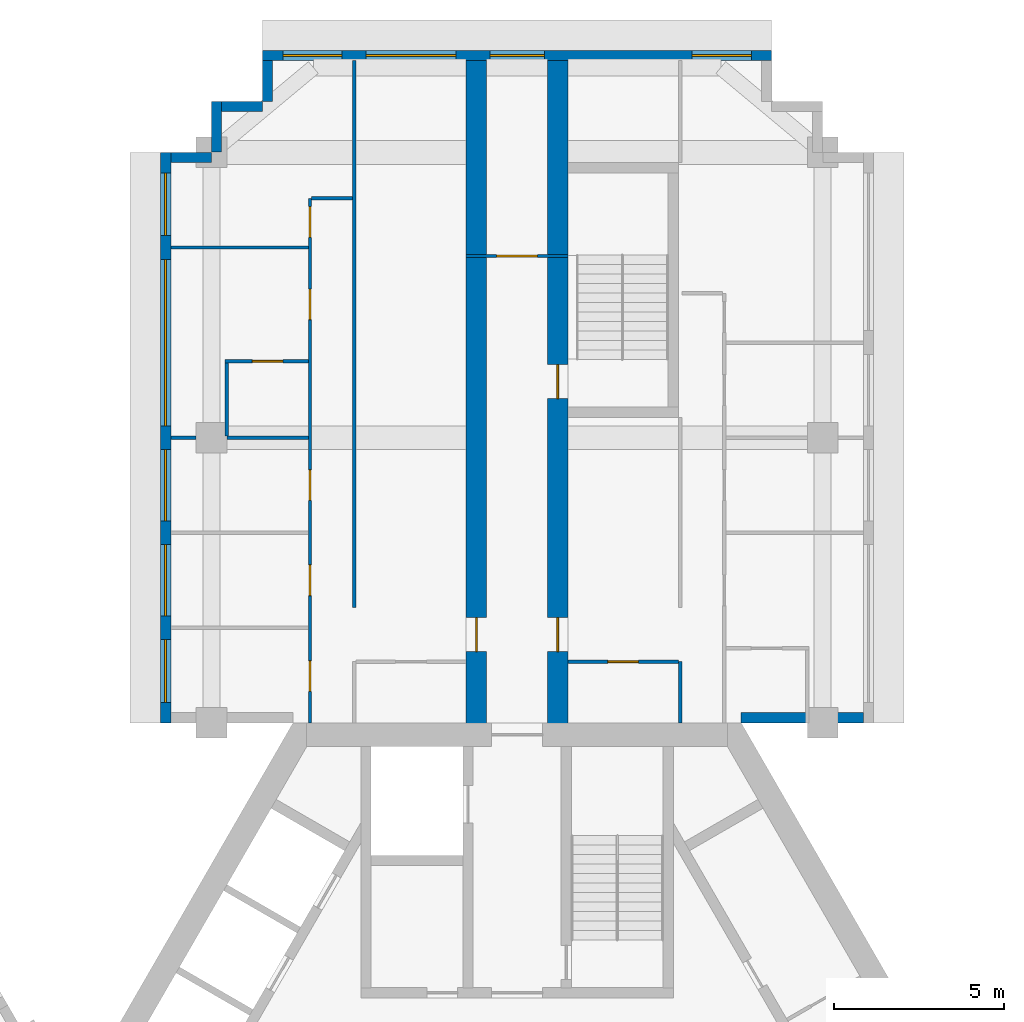
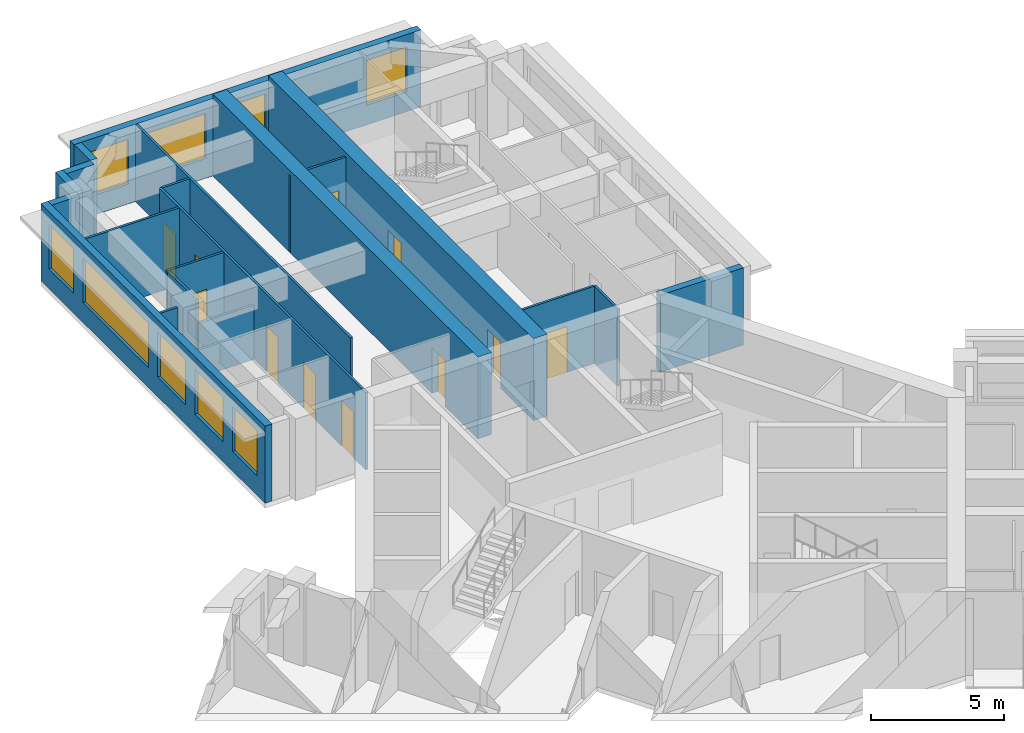
# One storey, part 7 of 10: 20 walls, 11 doors, 9 windows, 20 openings.
"""IFC4 building model written with IfcOpenShell, lengths in metres."""

from ifc_helpers import new_model, si_unit, direction, frame, frame_2d, origin, place, context, subcontext, project, spatial, rectangle, extrude, material, layer, layer_set, type_object, element, fill, save


model = new_model("IFC4")

# Units and contexts
model_context = context("Model", 3, precision=1e-05, world=origin(), true_north=direction((0.0, 1.0)))
body_context = subcontext(model_context, "Body", "Model", "MODEL_VIEW")
ifc_project = project(units=[si_unit("LENGTHUNIT", "METRE"), si_unit("AREAUNIT", "SQUARE_METRE"), si_unit("VOLUMEUNIT", "CUBIC_METRE"), si_unit("PLANEANGLEUNIT", "RADIAN"), si_unit("MASSUNIT", "GRAM", prefix="KILO")], contexts=[model_context])

# Site, building, storey
site_placement = place(None, origin())
site = spatial("IfcSite", under=ifc_project, at=site_placement, CompositionType="ELEMENT")
building_placement = place(site_placement, origin())
building = spatial("IfcBuilding", under=site, at=building_placement, Name="Impinga Residences", CompositionType="ELEMENT")
storey_placement = place(building_placement, frame((0.0, 0.0, 252.25)))
storey = spatial("IfcBuildingStorey", under=building, at=storey_placement, Name="L63", CompositionType="ELEMENT", Elevation=252.25)

# Wall, opening, door
ifc_material_1 = material(Name="Concrete C60/75", Category="concrete")
ifc_layer_1 = layer(ifc_material_1, 0.60009765625)
ifc_layer_set_1 = layer_set([ifc_layer_1], Name="Concrete C60/75")
wall_type_1 = type_object("IfcWallType", Name="BW3 corridor buttress wall, L46 to L73 600", PredefinedType="SHEAR", material=ifc_layer_set_1)
wall_1_placement = place(storey_placement, frame((-1.199951171875, 11.08154296875, 0.0), z_axis=(0.0, 0.0, 1.0), x_axis=(0.0, 1.0, 0.0)))
wall_1 = element("IfcWall", 1, at=wall_1_placement, inside=storey, type_object=wall_type_1, Name="Corridor wall BW3 NC L63", PredefinedType="SHEAR", context=body_context, shape_type="SweptSolid", body=[
    extrude(rectangle(XDim=19.85009765625, YDim=0.60009765625, at=frame_2d((9.925048828125, 0.0))), origin(), (0.0, 0.0, 1.0), 3.75),
])
opening_1_placement = place(wall_1_placement, frame((2.449951171875, 0.0, 0.0)))
opening_1 = element("IfcOpeningElement", 2, at=opening_1_placement, cuts=wall_1, Name="Opening D1", PredefinedType="OPENING", context=body_context, shape_type="SweptSolid", body=[
    extrude(rectangle(XDim=1.0, YDim=2.10009765625, at=frame_2d((0.5, 1.050048828125))), frame((0.0, 0.31005859375, 0.0), z_axis=(0.0, -1.0, 0.0), x_axis=(1.0, 0.0, 0.0)), (0.0, 0.0, 1.0), 0.6201171875),
])
ifc_material_2 = material(Name="Timber door set", Category="wood")
door_type_1 = type_object("IfcDoorType", Name="D1 apartment entrance door 1000x2100", OperationType="SINGLE_SWING_LEFT", PredefinedType="DOOR", material=ifc_material_2)
door_1_placement = place(opening_1_placement, origin())
door_1 = element("IfcDoor", 3, at=door_1_placement, inside=storey, type_object=door_type_1, Name="Apartment L63-NA1 entrance", OperationType="SINGLE_SWING_LEFT", OverallHeight=2.10009765625, OverallWidth=1.0, PredefinedType="DOOR", context=body_context, shape_type="SweptSolid", body=[
    extrude(rectangle(XDim=1.0, YDim=2.10009765625, at=frame_2d((0.5, 1.050048828125))), frame((0.0, 0.02490234375, 0.0), z_axis=(0.0, -1.0, 0.0), x_axis=(1.0, 0.0, 0.0)), (0.0, 0.0, 1.0), 0.050048828125),
])
fill(opening_1, door_1)

# Wall, openings, doors
wall_2_placement = place(storey_placement, frame((1.199951171875, 11.08154296875, 0.0), z_axis=(0.0, 0.0, 1.0), x_axis=(0.0, 1.0, 0.0)))
wall_2 = element("IfcWall", 4, at=wall_2_placement, inside=storey, type_object=wall_type_1, Name="Corridor wall BW3 ND L63", PredefinedType="SHEAR", context=body_context, shape_type="SweptSolid", body=[
    extrude(rectangle(XDim=19.85009765625, YDim=0.60009765625, at=frame_2d((9.925048828125, 0.0))), origin(), (0.0, 0.0, 1.0), 3.75),
])
opening_2_placement = place(wall_2_placement, frame((9.89990234375, 0.0, 0.0)))
opening_2 = element("IfcOpeningElement", 5, at=opening_2_placement, cuts=wall_2, Name="Opening D5", PredefinedType="OPENING", context=body_context, shape_type="SweptSolid", body=[
    extrude(rectangle(XDim=1.0, YDim=2.10009765625, at=frame_2d((0.5, 1.050048828125))), frame((0.0, 0.31005859375, 0.0), z_axis=(0.0, -1.0, 0.0), x_axis=(1.0, 0.0, 0.0)), (0.0, 0.0, 1.0), 0.6201171875),
])
opening_3_placement = place(wall_2_placement, frame((2.449951171875, 0.0, 0.0)))
opening_3 = element("IfcOpeningElement", 6, at=opening_3_placement, cuts=wall_2, Name="Opening D1", PredefinedType="OPENING", context=body_context, shape_type="SweptSolid", body=[
    extrude(rectangle(XDim=1.0, YDim=2.10009765625, at=frame_2d((0.5, 1.050048828125))), frame((0.0, 0.31005859375, 0.0), z_axis=(0.0, -1.0, 0.0), x_axis=(1.0, 0.0, 0.0)), (0.0, 0.0, 1.0), 0.6201171875),
])
door_2_placement = place(opening_3_placement, origin())
door_2 = element("IfcDoor", 7, at=door_2_placement, inside=storey, type_object=door_type_1, Name="Apartment L63-NF1 entrance", OperationType="SINGLE_SWING_LEFT", OverallHeight=2.10009765625, OverallWidth=1.0, PredefinedType="DOOR", context=body_context, shape_type="SweptSolid", body=[
    extrude(rectangle(XDim=1.0, YDim=2.10009765625, at=frame_2d((0.5, 1.050048828125))), frame((0.0, 0.02490234375, 0.0), z_axis=(0.0, -1.0, 0.0), x_axis=(1.0, 0.0, 0.0)), (0.0, 0.0, 1.0), 0.050048828125),
])
fill(opening_3, door_2)
door_type_2 = type_object("IfcDoorType", Name="D5 stair door 1000x2100", OperationType="SINGLE_SWING_LEFT", PredefinedType="DOOR", material=ifc_material_2)
door_3_placement = place(opening_2_placement, origin())
door_3 = element("IfcDoor", 8, at=door_3_placement, inside=storey, type_object=door_type_2, Name="Wing stair door N", OperationType="SINGLE_SWING_RIGHT", OverallHeight=2.10009765625, OverallWidth=1.0, PredefinedType="DOOR", context=body_context, shape_type="SweptSolid", body=[
    extrude(rectangle(XDim=1.0, YDim=2.10009765625, at=frame_2d((0.5, 1.050048828125))), frame((0.0, 0.02490234375, 0.0), z_axis=(0.0, -1.0, 0.0), x_axis=(1.0, 0.0, 0.0)), (0.0, 0.0, 1.0), 0.050048828125),
])
fill(opening_2, door_3)

# Wall, opening, door
ifc_material_3 = material(Name="Concrete blockwork", Category="masonry")
ifc_layer_2 = layer(ifc_material_3, 0.10009765625)
ifc_layer_set_2 = layer_set([ifc_layer_2], Name="CP1 core room partition, blockwork 100")
wall_type_2 = type_object("IfcWallType", Name="CP1 core room partition, blockwork 100", PredefinedType="PARTITIONING", material=ifc_layer_set_2)
wall_3_placement = place(storey_placement, frame((-1.5, 25.181640625, 0.0), z_axis=(0.0, 0.0, 1.0), x_axis=(1.0, 0.0, 0.0)))
wall_3 = element("IfcWall", 9, at=wall_3_placement, inside=storey, type_object=wall_type_2, Name="Core room partition, blockwork L63:N:LNG", PredefinedType="PARTITIONING", context=body_context, shape_type="SweptSolid", body=[
    extrude(rectangle(XDim=3.0, YDim=0.10009765625, at=frame_2d((1.5, 0.0))), origin(), (0.0, 0.0, 1.0), 3.530029296875),
])
opening_4_placement = place(wall_3_placement, frame((0.89990234375, 0.0, 0.0)))
opening_4 = element("IfcOpeningElement", 10, at=opening_4_placement, cuts=wall_3, Name="Opening D3", PredefinedType="OPENING", context=body_context, shape_type="SweptSolid", body=[
    extrude(rectangle(XDim=1.199951171875, YDim=2.10009765625, at=frame_2d((0.60009765625, 1.050048828125))), frame((0.0, 0.06005859375, 0.0), z_axis=(0.0, -1.0, 0.0), x_axis=(1.0, 0.0, 0.0)), (0.0, 0.0, 1.0), 0.1201171875),
])
door_type_3 = type_object("IfcDoorType", Name="D3 room door, leaf and a half 1200x2100", OperationType="DOUBLE_SWING_LEFT", PredefinedType="DOOR", material=ifc_material_2)
door_4_placement = place(opening_4_placement, origin())
door_4 = element("IfcDoor", 11, at=door_4_placement, inside=storey, type_object=door_type_3, Name="Residents' lounge door N", OperationType="DOUBLE_SWING_LEFT", OverallHeight=2.10009765625, OverallWidth=1.199951171875, PredefinedType="DOOR", context=body_context, shape_type="SweptSolid", body=[
    extrude(rectangle(XDim=1.199951171875, YDim=2.10009765625, at=frame_2d((0.60009765625, 1.050048828125))), frame((0.0, 0.02490234375, 0.0), z_axis=(0.0, -1.0, 0.0), x_axis=(1.0, 0.0, 0.0)), (0.0, 0.0, 1.0), 0.050048828125),
])
fill(opening_4, door_4)

# Wall, openings, windows
ifc_material_4 = material(Name="Terracotta rainscreen on blockwork", Category="masonry")
ifc_layer_3 = layer(ifc_material_4, 0.300048828125)
ifc_layer_set_3 = layer_set([ifc_layer_3], Name="EW1 external wall, terracotta rainscreen on blockwork 300")
wall_type_3 = type_object("IfcWallType", Name="EW1 external wall, terracotta rainscreen on blockwork 300", PredefinedType="SOLIDWALL", material=ifc_layer_set_3)
wall_4_placement = place(storey_placement, frame((-10.35009765625, 11.431640625, 0.0), z_axis=(0.0, 0.0, 1.0), x_axis=(0.0, 1.0, 0.0)))
wall_4 = element("IfcWall", 12, at=wall_4_placement, inside=storey, type_object=wall_type_3, Name="External wall EW1 L63", PredefinedType="SOLIDWALL", context=body_context, shape_type="SweptSolid", body=[
    extrude(rectangle(XDim=16.7998046875, YDim=0.300048828125, at=frame_2d((8.39990234375, 0.0))), origin(), (0.0, 0.0, 1.0), 3.530029296875),
])
opening_5_placement = place(wall_4_placement, frame((0.60009765625, 0.0, 0.89990234375)))
opening_5 = element("IfcOpeningElement", 13, at=opening_5_placement, cuts=wall_4, Name="Opening W15", PredefinedType="OPENING", context=body_context, shape_type="SweptSolid", body=[
    extrude(rectangle(XDim=1.85009765625, YDim=2.050048828125, at=frame_2d((0.925048828125, 1.02490234375))), frame((0.0, 0.159912109375, 0.0), z_axis=(0.0, -1.0, 0.0), x_axis=(1.0, 0.0, 0.0)), (0.0, 0.0, 1.0), 0.320068359375),
])
opening_6_placement = place(wall_4_placement, frame((3.14990234375, 0.0, 0.89990234375)))
opening_6 = element("IfcOpeningElement", 14, at=opening_6_placement, cuts=wall_4, Name="Opening W9", PredefinedType="OPENING", context=body_context, shape_type="SweptSolid", body=[
    extrude(rectangle(XDim=2.10009765625, YDim=2.050048828125, at=frame_2d((1.050048828125, 1.02490234375))), frame((0.0, 0.159912109375, 0.0), z_axis=(0.0, -1.0, 0.0), x_axis=(1.0, 0.0, 0.0)), (0.0, 0.0, 1.0), 0.320068359375),
])
opening_7_placement = place(wall_4_placement, frame((5.949951171875, 0.0, 0.89990234375)))
opening_7 = element("IfcOpeningElement", 15, at=opening_7_placement, cuts=wall_4, Name="Opening W9", PredefinedType="OPENING", context=body_context, shape_type="SweptSolid", body=[
    extrude(rectangle(XDim=2.10009765625, YDim=2.050048828125, at=frame_2d((1.050048828125, 1.02490234375))), frame((0.0, 0.159912109375, 0.0), z_axis=(0.0, -1.0, 0.0), x_axis=(1.0, 0.0, 0.0)), (0.0, 0.0, 1.0), 0.320068359375),
])
opening_8_placement = place(wall_4_placement, frame((8.75, 0.0, 0.89990234375)))
opening_8 = element("IfcOpeningElement", 16, at=opening_8_placement, cuts=wall_4, Name="Opening W16", PredefinedType="OPENING", context=body_context, shape_type="SweptSolid", body=[
    extrude(rectangle(XDim=4.89990234375, YDim=2.050048828125, at=frame_2d((2.449951171875, 1.02490234375))), frame((0.0, 0.159912109375, 0.0), z_axis=(0.0, -1.0, 0.0), x_axis=(1.0, 0.0, 0.0)), (0.0, 0.0, 1.0), 0.320068359375),
])
opening_9_placement = place(wall_4_placement, frame((14.35009765625, 0.0, 0.89990234375)))
opening_9 = element("IfcOpeningElement", 17, at=opening_9_placement, cuts=wall_4, Name="Opening W15", PredefinedType="OPENING", context=body_context, shape_type="SweptSolid", body=[
    extrude(rectangle(XDim=1.85009765625, YDim=2.050048828125, at=frame_2d((0.925048828125, 1.02490234375))), frame((0.0, 0.159912109375, 0.0), z_axis=(0.0, -1.0, 0.0), x_axis=(1.0, 0.0, 0.0)), (0.0, 0.0, 1.0), 0.320068359375),
])
ifc_material_5 = material(Name="Aluminium window, clear double glazing", Category="aluminium")
window_type_1 = type_object("IfcWindowType", Name="W15 ribbon window 1850x2050", PartitioningType="SINGLE_PANEL", PredefinedType="WINDOW", material=ifc_material_5)
window_1_placement = place(opening_5_placement, origin())
window_1 = element("IfcWindow", 18, at=window_1_placement, inside=storey, type_object=window_type_1, Name="Window L63", OverallHeight=2.050048828125, OverallWidth=1.85009765625, PartitioningType="SINGLE_PANEL", PredefinedType="WINDOW", context=body_context, shape_type="SweptSolid", body=[
    extrude(rectangle(XDim=1.85009765625, YDim=2.050048828125, at=frame_2d((0.925048828125, 1.02490234375))), frame((0.0, 0.030029296875, 0.0), z_axis=(0.0, -1.0, 0.0), x_axis=(1.0, 0.0, 0.0)), (0.0, 0.0, 1.0), 0.06005859375),
])
fill(opening_5, window_1)
window_2_placement = place(opening_9_placement, origin())
window_2 = element("IfcWindow", 19, at=window_2_placement, inside=storey, type_object=window_type_1, Name="Window L63", OverallHeight=2.050048828125, OverallWidth=1.85009765625, PartitioningType="SINGLE_PANEL", PredefinedType="WINDOW", context=body_context, shape_type="SweptSolid", body=[
    extrude(rectangle(XDim=1.85009765625, YDim=2.050048828125, at=frame_2d((0.925048828125, 1.02490234375))), frame((0.0, 0.030029296875, 0.0), z_axis=(0.0, -1.0, 0.0), x_axis=(1.0, 0.0, 0.0)), (0.0, 0.0, 1.0), 0.06005859375),
])
fill(opening_9, window_2)
window_type_2 = type_object("IfcWindowType", Name="W16 ribbon window 4900x2050", PartitioningType="SINGLE_PANEL", PredefinedType="WINDOW", material=ifc_material_5)
window_3_placement = place(opening_8_placement, origin())
window_3 = element("IfcWindow", 20, at=window_3_placement, inside=storey, type_object=window_type_2, Name="Window L63", OverallHeight=2.050048828125, OverallWidth=4.89990234375, PartitioningType="SINGLE_PANEL", PredefinedType="WINDOW", context=body_context, shape_type="SweptSolid", body=[
    extrude(rectangle(XDim=4.89990234375, YDim=2.050048828125, at=frame_2d((2.449951171875, 1.02490234375))), frame((0.0, 0.030029296875, 0.0), z_axis=(0.0, -1.0, 0.0), x_axis=(1.0, 0.0, 0.0)), (0.0, 0.0, 1.0), 0.06005859375),
])
fill(opening_8, window_3)
window_type_3 = type_object("IfcWindowType", Name="W9 ribbon window 2100x2050", PartitioningType="SINGLE_PANEL", PredefinedType="WINDOW", material=ifc_material_5)
window_4_placement = place(opening_6_placement, origin())
window_4 = element("IfcWindow", 21, at=window_4_placement, inside=storey, type_object=window_type_3, Name="Window L63", OverallHeight=2.050048828125, OverallWidth=2.10009765625, PartitioningType="SINGLE_PANEL", PredefinedType="WINDOW", context=body_context, shape_type="SweptSolid", body=[
    extrude(rectangle(XDim=2.10009765625, YDim=2.050048828125, at=frame_2d((1.050048828125, 1.02490234375))), frame((0.0, 0.030029296875, 0.0), z_axis=(0.0, -1.0, 0.0), x_axis=(1.0, 0.0, 0.0)), (0.0, 0.0, 1.0), 0.06005859375),
])
fill(opening_6, window_4)
window_5_placement = place(opening_7_placement, origin())
window_5 = element("IfcWindow", 22, at=window_5_placement, inside=storey, type_object=window_type_3, Name="Window L63", OverallHeight=2.050048828125, OverallWidth=2.10009765625, PartitioningType="SINGLE_PANEL", PredefinedType="WINDOW", context=body_context, shape_type="SweptSolid", body=[
    extrude(rectangle(XDim=2.10009765625, YDim=2.050048828125, at=frame_2d((1.050048828125, 1.02490234375))), frame((0.0, 0.030029296875, 0.0), z_axis=(0.0, -1.0, 0.0), x_axis=(1.0, 0.0, 0.0)), (0.0, 0.0, 1.0), 0.06005859375),
])
fill(opening_7, window_5)

# Walls
wall_5_placement = place(storey_placement, frame((-10.199951171875, 28.08154296875, 0.0), z_axis=(0.0, 0.0, 1.0), x_axis=(1.0, 0.0, 0.0)))
element("IfcWall", 23, at=wall_5_placement, inside=storey, type_object=wall_type_3, Name="External wall EW1 L63", PredefinedType="SOLIDWALL", context=body_context, shape_type="SweptSolid", body=[
    extrude(rectangle(XDim=1.199951171875, YDim=0.300048828125, at=frame_2d((0.60009765625, 0.0))), origin(), (0.0, 0.0, 1.0), 3.530029296875),
])
wall_6_placement = place(storey_placement, frame((-8.85009765625, 28.236572265625, 0.0), z_axis=(0.0, 0.0, 1.0), x_axis=(0.0, 1.0, 0.0)))
element("IfcWall", 24, at=wall_6_placement, inside=storey, type_object=wall_type_3, Name="External wall EW1 L63", PredefinedType="SOLIDWALL", context=body_context, shape_type="SweptSolid", body=[
    extrude(rectangle(XDim=1.494873046875, YDim=0.300048828125, at=frame_2d((0.74755859375, 0.0))), origin(), (0.0, 0.0, 1.0), 3.530029296875),
])
wall_7_placement = place(storey_placement, frame((-8.699951171875, 29.58154296875, 0.0), z_axis=(0.0, 0.0, 1.0), x_axis=(1.0, 0.0, 0.0)))
element("IfcWall", 25, at=wall_7_placement, inside=storey, type_object=wall_type_3, Name="External wall EW1 L63", PredefinedType="SOLIDWALL", context=body_context, shape_type="SweptSolid", body=[
    extrude(rectangle(XDim=1.199951171875, YDim=0.300048828125, at=frame_2d((0.60009765625, 0.0))), origin(), (0.0, 0.0, 1.0), 3.530029296875),
])
wall_8_placement = place(storey_placement, frame((-7.35009765625, 29.736572265625, 0.0), z_axis=(0.0, 0.0, 1.0), x_axis=(0.0, 1.0, 0.0)))
element("IfcWall", 26, at=wall_8_placement, inside=storey, type_object=wall_type_3, Name="External wall EW1 L63", PredefinedType="SOLIDWALL", context=body_context, shape_type="SweptSolid", body=[
    extrude(rectangle(XDim=1.195068359375, YDim=0.300048828125, at=frame_2d((0.59765625, 0.0))), origin(), (0.0, 0.0, 1.0), 3.530029296875),
])

# Wall, openings, windows
wall_9_placement = place(storey_placement, frame((-7.5, 31.08154296875, 0.0), z_axis=(0.0, 0.0, 1.0), x_axis=(1.0, 0.0, 0.0)))
wall_9 = element("IfcWall", 27, at=wall_9_placement, inside=storey, type_object=wall_type_3, Name="External wall EW1 L63", PredefinedType="SOLIDWALL", context=body_context, shape_type="SweptSolid", body=[
    extrude(rectangle(XDim=15.0, YDim=0.300048828125, at=frame_2d((7.5, 0.0))), origin(), (0.0, 0.0, 1.0), 3.530029296875),
])
opening_10_placement = place(wall_9_placement, frame((0.60009765625, 0.0, 0.89990234375)))
opening_10 = element("IfcOpeningElement", 28, at=opening_10_placement, cuts=wall_9, Name="Opening W1", PredefinedType="OPENING", context=body_context, shape_type="SweptSolid", body=[
    extrude(rectangle(XDim=1.75, YDim=2.050048828125, at=frame_2d((0.875, 1.02490234375))), frame((0.0, 0.159912109375, 0.0), z_axis=(0.0, -1.0, 0.0), x_axis=(1.0, 0.0, 0.0)), (0.0, 0.0, 1.0), 0.320068359375),
])
opening_11_placement = place(wall_9_placement, frame((3.050048828125, 0.0, 0.89990234375)))
opening_11 = element("IfcOpeningElement", 29, at=opening_11_placement, cuts=wall_9, Name="Opening W18", PredefinedType="OPENING", context=body_context, shape_type="SweptSolid", body=[
    extrude(rectangle(XDim=2.64990234375, YDim=2.050048828125, at=frame_2d((1.324951171875, 1.02490234375))), frame((0.0, 0.159912109375, 0.0), z_axis=(0.0, -1.0, 0.0), x_axis=(1.0, 0.0, 0.0)), (0.0, 0.0, 1.0), 0.320068359375),
])
opening_12_placement = place(wall_9_placement, frame((6.699951171875, 0.0, 0.89990234375)))
opening_12 = element("IfcOpeningElement", 30, at=opening_12_placement, cuts=wall_9, Name="Opening W19", PredefinedType="OPENING", context=body_context, shape_type="SweptSolid", body=[
    extrude(rectangle(XDim=1.60009765625, YDim=2.050048828125, at=frame_2d((0.800048828125, 1.02490234375))), frame((0.0, 0.159912109375, 0.0), z_axis=(0.0, -1.0, 0.0), x_axis=(1.0, 0.0, 0.0)), (0.0, 0.0, 1.0), 0.320068359375),
])
opening_13_placement = place(wall_9_placement, frame((12.64990234375, 0.0, 0.89990234375)))
opening_13 = element("IfcOpeningElement", 31, at=opening_13_placement, cuts=wall_9, Name="Opening W1", PredefinedType="OPENING", context=body_context, shape_type="SweptSolid", body=[
    extrude(rectangle(XDim=1.75, YDim=2.050048828125, at=frame_2d((0.875, 1.02490234375))), frame((0.0, 0.159912109375, 0.0), z_axis=(0.0, -1.0, 0.0), x_axis=(1.0, 0.0, 0.0)), (0.0, 0.0, 1.0), 0.320068359375),
])
window_type_4 = type_object("IfcWindowType", Name="W1 ribbon window 1750x2050", PartitioningType="SINGLE_PANEL", PredefinedType="WINDOW", material=ifc_material_5)
window_6_placement = place(opening_10_placement, origin())
window_6 = element("IfcWindow", 32, at=window_6_placement, inside=storey, type_object=window_type_4, Name="Window L63", OverallHeight=2.050048828125, OverallWidth=1.75, PartitioningType="SINGLE_PANEL", PredefinedType="WINDOW", context=body_context, shape_type="SweptSolid", body=[
    extrude(rectangle(XDim=1.75, YDim=2.050048828125, at=frame_2d((0.875, 1.02490234375))), frame((0.0, 0.030029296875, 0.0), z_axis=(0.0, -1.0, 0.0), x_axis=(1.0, 0.0, 0.0)), (0.0, 0.0, 1.0), 0.06005859375),
])
fill(opening_10, window_6)
window_7_placement = place(opening_13_placement, origin())
window_7 = element("IfcWindow", 33, at=window_7_placement, inside=storey, type_object=window_type_4, Name="Window L63", OverallHeight=2.050048828125, OverallWidth=1.75, PartitioningType="SINGLE_PANEL", PredefinedType="WINDOW", context=body_context, shape_type="SweptSolid", body=[
    extrude(rectangle(XDim=1.75, YDim=2.050048828125, at=frame_2d((0.875, 1.02490234375))), frame((0.0, 0.030029296875, 0.0), z_axis=(0.0, -1.0, 0.0), x_axis=(1.0, 0.0, 0.0)), (0.0, 0.0, 1.0), 0.06005859375),
])
fill(opening_13, window_7)
window_type_5 = type_object("IfcWindowType", Name="W18 ribbon window 2650x2050", PartitioningType="SINGLE_PANEL", PredefinedType="WINDOW", material=ifc_material_5)
window_8_placement = place(opening_11_placement, origin())
window_8 = element("IfcWindow", 34, at=window_8_placement, inside=storey, type_object=window_type_5, Name="Window L63", OverallHeight=2.050048828125, OverallWidth=2.64990234375, PartitioningType="SINGLE_PANEL", PredefinedType="WINDOW", context=body_context, shape_type="SweptSolid", body=[
    extrude(rectangle(XDim=2.64990234375, YDim=2.050048828125, at=frame_2d((1.324951171875, 1.02490234375))), frame((0.0, 0.030029296875, 0.0), z_axis=(0.0, -1.0, 0.0), x_axis=(1.0, 0.0, 0.0)), (0.0, 0.0, 1.0), 0.06005859375),
])
fill(opening_11, window_8)
window_type_6 = type_object("IfcWindowType", Name="W19 ribbon window 1600x2050", PartitioningType="SINGLE_PANEL", PredefinedType="WINDOW", material=ifc_material_5)
window_9_placement = place(opening_12_placement, origin())
window_9 = element("IfcWindow", 35, at=window_9_placement, inside=storey, type_object=window_type_6, Name="Window L63", OverallHeight=2.050048828125, OverallWidth=1.60009765625, PartitioningType="SINGLE_PANEL", PredefinedType="WINDOW", context=body_context, shape_type="SweptSolid", body=[
    extrude(rectangle(XDim=1.60009765625, YDim=2.050048828125, at=frame_2d((0.800048828125, 1.02490234375))), frame((0.0, 0.030029296875, 0.0), z_axis=(0.0, -1.0, 0.0), x_axis=(1.0, 0.0, 0.0)), (0.0, 0.0, 1.0), 0.06005859375),
])
fill(opening_12, window_9)

# Walls
wall_10_placement = place(storey_placement, frame((10.199951171875, 11.58154296875, 0.0), z_axis=(0.0, 0.0, 1.0), x_axis=(-1.0, 0.0, 0.0)))
element("IfcWall", 36, at=wall_10_placement, inside=storey, type_object=wall_type_3, Name="External wall EW1 L63", PredefinedType="SOLIDWALL", context=body_context, shape_type="SweptSolid", body=[
    extrude(rectangle(XDim=3.599853515625, YDim=0.300048828125, at=frame_2d((1.7998046875, 0.0))), origin(), (0.0, 0.0, 1.0), 3.530029296875),
])
ifc_material_6 = material(Name="Gypsum board on steel studs", Category="steel")
ifc_layer_4 = layer(ifc_material_6, 0.10009765625)
ifc_layer_set_4 = layer_set([ifc_layer_4], Name="Gypsum board on steel studs")
wall_type_4 = type_object("IfcWallType", Name="IP1 partition 100", PredefinedType="PARTITIONING", material=ifc_layer_set_4)
wall_11_placement = place(storey_placement, frame((-4.800048828125, 14.83154296875, 0.0), z_axis=(0.0, 0.0, 1.0), x_axis=(0.0, 1.0, 0.0)))
element("IfcWall", 37, at=wall_11_placement, inside=storey, type_object=wall_type_4, Name="Partition L63-NA1:DIV1", PredefinedType="PARTITIONING", context=body_context, shape_type="SweptSolid", body=[
    extrude(rectangle(XDim=16.10009765625, YDim=0.10009765625, at=frame_2d((8.050048828125, 0.0))), origin(), (0.0, 0.0, 1.0), 3.530029296875),
])

# Wall, openings, doors
wall_12_placement = place(storey_placement, frame((-6.10009765625, 11.431640625, 0.0), z_axis=(0.0, 0.0, 1.0), x_axis=(0.0, 1.0, 0.0)))
wall_12 = element("IfcWall", 38, at=wall_12_placement, inside=storey, type_object=wall_type_4, Name="Partition L63-NA1:STRIP", PredefinedType="PARTITIONING", context=body_context, shape_type="SweptSolid", body=[
    extrude(rectangle(XDim=15.449951171875, YDim=0.10009765625, at=frame_2d((7.72509765625, 0.0))), origin(), (0.0, 0.0, 1.0), 3.530029296875),
])
opening_14_placement = place(wall_12_placement, frame((0.925048828125, 0.0, 0.0)))
opening_14 = element("IfcOpeningElement", 39, at=opening_14_placement, cuts=wall_12, Name="Opening D2", PredefinedType="OPENING", context=body_context, shape_type="SweptSolid", body=[
    extrude(rectangle(XDim=0.89990234375, YDim=2.10009765625, at=frame_2d((0.449951171875, 1.050048828125))), frame((0.0, 0.06005859375, 0.0), z_axis=(0.0, -1.0, 0.0), x_axis=(1.0, 0.0, 0.0)), (0.0, 0.0, 1.0), 0.1201171875),
])
opening_15_placement = place(wall_12_placement, frame((3.75, 0.0, 0.0)))
opening_15 = element("IfcOpeningElement", 40, at=opening_15_placement, cuts=wall_12, Name="Opening D2", PredefinedType="OPENING", context=body_context, shape_type="SweptSolid", body=[
    extrude(rectangle(XDim=0.89990234375, YDim=2.10009765625, at=frame_2d((0.449951171875, 1.050048828125))), frame((0.0, 0.06005859375, 0.0), z_axis=(0.0, -1.0, 0.0), x_axis=(1.0, 0.0, 0.0)), (0.0, 0.0, 1.0), 0.1201171875),
])
opening_16_placement = place(wall_12_placement, frame((6.550048828125, 0.0, 0.0)))
opening_16 = element("IfcOpeningElement", 41, at=opening_16_placement, cuts=wall_12, Name="Opening D2", PredefinedType="OPENING", context=body_context, shape_type="SweptSolid", body=[
    extrude(rectangle(XDim=0.89990234375, YDim=2.10009765625, at=frame_2d((0.449951171875, 1.050048828125))), frame((0.0, 0.06005859375, 0.0), z_axis=(0.0, -1.0, 0.0), x_axis=(1.0, 0.0, 0.0)), (0.0, 0.0, 1.0), 0.1201171875),
])
opening_17_placement = place(wall_12_placement, frame((11.875, 0.0, 0.0)))
opening_17 = element("IfcOpeningElement", 42, at=opening_17_placement, cuts=wall_12, Name="Opening D2", PredefinedType="OPENING", context=body_context, shape_type="SweptSolid", body=[
    extrude(rectangle(XDim=0.89990234375, YDim=2.10009765625, at=frame_2d((0.449951171875, 1.050048828125))), frame((0.0, 0.06005859375, 0.0), z_axis=(0.0, -1.0, 0.0), x_axis=(1.0, 0.0, 0.0)), (0.0, 0.0, 1.0), 0.1201171875),
])
opening_18_placement = place(wall_12_placement, frame((14.300048828125, 0.0, 0.0)))
opening_18 = element("IfcOpeningElement", 43, at=opening_18_placement, cuts=wall_12, Name="Opening D2", PredefinedType="OPENING", context=body_context, shape_type="SweptSolid", body=[
    extrude(rectangle(XDim=0.89990234375, YDim=2.10009765625, at=frame_2d((0.449951171875, 1.050048828125))), frame((0.0, 0.06005859375, 0.0), z_axis=(0.0, -1.0, 0.0), x_axis=(1.0, 0.0, 0.0)), (0.0, 0.0, 1.0), 0.1201171875),
])
door_type_4 = type_object("IfcDoorType", Name="D2 internal door 900x2100", OperationType="SINGLE_SWING_LEFT", PredefinedType="DOOR", material=ifc_material_2)
door_5_placement = place(opening_14_placement, origin())
door_5 = element("IfcDoor", 44, at=door_5_placement, inside=storey, type_object=door_type_4, Name="Apartment L63-NA1 room door", OperationType="SINGLE_SWING_LEFT", OverallHeight=2.10009765625, OverallWidth=0.89990234375, PredefinedType="DOOR", context=body_context, shape_type="SweptSolid", body=[
    extrude(rectangle(XDim=0.89990234375, YDim=2.10009765625, at=frame_2d((0.449951171875, 1.050048828125))), frame((0.0, 0.02490234375, 0.0), z_axis=(0.0, -1.0, 0.0), x_axis=(1.0, 0.0, 0.0)), (0.0, 0.0, 1.0), 0.050048828125),
])
fill(opening_14, door_5)
door_6_placement = place(opening_15_placement, origin())
door_6 = element("IfcDoor", 45, at=door_6_placement, inside=storey, type_object=door_type_4, Name="Apartment L63-NA1 room door", OperationType="SINGLE_SWING_LEFT", OverallHeight=2.10009765625, OverallWidth=0.89990234375, PredefinedType="DOOR", context=body_context, shape_type="SweptSolid", body=[
    extrude(rectangle(XDim=0.89990234375, YDim=2.10009765625, at=frame_2d((0.449951171875, 1.050048828125))), frame((0.0, 0.02490234375, 0.0), z_axis=(0.0, -1.0, 0.0), x_axis=(1.0, 0.0, 0.0)), (0.0, 0.0, 1.0), 0.050048828125),
])
fill(opening_15, door_6)
door_7_placement = place(opening_16_placement, origin())
door_7 = element("IfcDoor", 46, at=door_7_placement, inside=storey, type_object=door_type_4, Name="Apartment L63-NA1 room door", OperationType="SINGLE_SWING_LEFT", OverallHeight=2.10009765625, OverallWidth=0.89990234375, PredefinedType="DOOR", context=body_context, shape_type="SweptSolid", body=[
    extrude(rectangle(XDim=0.89990234375, YDim=2.10009765625, at=frame_2d((0.449951171875, 1.050048828125))), frame((0.0, 0.02490234375, 0.0), z_axis=(0.0, -1.0, 0.0), x_axis=(1.0, 0.0, 0.0)), (0.0, 0.0, 1.0), 0.050048828125),
])
fill(opening_16, door_7)
door_8_placement = place(opening_17_placement, origin())
door_8 = element("IfcDoor", 47, at=door_8_placement, inside=storey, type_object=door_type_4, Name="Apartment L63-NA1 room door", OperationType="SINGLE_SWING_RIGHT", OverallHeight=2.10009765625, OverallWidth=0.89990234375, PredefinedType="DOOR", context=body_context, shape_type="SweptSolid", body=[
    extrude(rectangle(XDim=0.89990234375, YDim=2.10009765625, at=frame_2d((0.449951171875, 1.050048828125))), frame((0.0, 0.02490234375, 0.0), z_axis=(0.0, -1.0, 0.0), x_axis=(1.0, 0.0, 0.0)), (0.0, 0.0, 1.0), 0.050048828125),
])
fill(opening_17, door_8)
door_9_placement = place(opening_18_placement, origin())
door_9 = element("IfcDoor", 48, at=door_9_placement, inside=storey, type_object=door_type_4, Name="Apartment L63-NA1 room door", OperationType="SINGLE_SWING_RIGHT", OverallHeight=2.10009765625, OverallWidth=0.89990234375, PredefinedType="DOOR", context=body_context, shape_type="SweptSolid", body=[
    extrude(rectangle(XDim=0.89990234375, YDim=2.10009765625, at=frame_2d((0.449951171875, 1.050048828125))), frame((0.0, 0.02490234375, 0.0), z_axis=(0.0, -1.0, 0.0), x_axis=(1.0, 0.0, 0.0)), (0.0, 0.0, 1.0), 0.050048828125),
])
fill(opening_18, door_9)

# Walls
wall_13_placement = place(storey_placement, frame((-4.85009765625, 26.881591796875, 0.0), z_axis=(0.0, 0.0, 1.0), x_axis=(-1.0, 0.0, 0.0)))
element("IfcWall", 49, at=wall_13_placement, inside=storey, type_object=wall_type_4, Name="Partition L63-NA1:SE1", PredefinedType="PARTITIONING", context=body_context, shape_type="SweptSolid", body=[
    extrude(rectangle(XDim=1.199951171875, YDim=0.10009765625, at=frame_2d((0.60009765625, 0.0))), origin(), (0.0, 0.0, 1.0), 3.530029296875),
])
wall_14_placement = place(storey_placement, frame((-6.14990234375, 19.83154296875, 0.0), z_axis=(0.0, 0.0, 1.0), x_axis=(-1.0, 0.0, 0.0)))
element("IfcWall", 50, at=wall_14_placement, inside=storey, type_object=wall_type_4, Name="Partition L63-NA1:OB3", PredefinedType="PARTITIONING", context=body_context, shape_type="SweptSolid", body=[
    extrude(rectangle(XDim=2.400146484375, YDim=0.10009765625, at=frame_2d((1.2001953125, 0.0))), origin(), (0.0, 0.0, 1.0), 2.47998046875),
])
wall_15_placement = place(storey_placement, frame((-9.449951171875, 19.83154296875, 0.0), z_axis=(0.0, 0.0, 1.0), x_axis=(-1.0, 0.0, 0.0)))
element("IfcWall", 51, at=wall_15_placement, inside=storey, type_object=wall_type_4, Name="Partition L63-NA1:OB3b", PredefinedType="PARTITIONING", context=body_context, shape_type="SweptSolid", body=[
    extrude(rectangle(XDim=0.75, YDim=0.10009765625, at=frame_2d((0.375, 0.0))), origin(), (0.0, 0.0, 1.0), 3.530029296875),
])
wall_16_placement = place(storey_placement, frame((-6.14990234375, 25.431640625, 0.0), z_axis=(0.0, 0.0, 1.0), x_axis=(-1.0, 0.0, 0.0)))
element("IfcWall", 52, at=wall_16_placement, inside=storey, type_object=wall_type_4, Name="Partition L63-NA1:OB4", PredefinedType="PARTITIONING", context=body_context, shape_type="SweptSolid", body=[
    extrude(rectangle(XDim=4.050048828125, YDim=0.10009765625, at=frame_2d((2.02490234375, 0.0))), origin(), (0.0, 0.0, 1.0), 3.530029296875),
])

# Wall, opening, door
wall_17_placement = place(storey_placement, frame((-6.14990234375, 22.08154296875, 0.0), z_axis=(0.0, 0.0, 1.0), x_axis=(-1.0, 0.0, 0.0)))
wall_17 = element("IfcWall", 53, at=wall_17_placement, inside=storey, type_object=wall_type_4, Name="Partition L63-NA1:EN1", PredefinedType="PARTITIONING", context=body_context, shape_type="SweptSolid", body=[
    extrude(rectangle(XDim=2.4501953125, YDim=0.10009765625, at=frame_2d((1.22509765625, 0.0))), origin(), (0.0, 0.0, 1.0), 3.530029296875),
])
opening_19_placement = place(wall_17_placement, frame((0.75, 0.0, 0.0)))
opening_19 = element("IfcOpeningElement", 54, at=opening_19_placement, cuts=wall_17, Name="Opening D2", PredefinedType="OPENING", context=body_context, shape_type="SweptSolid", body=[
    extrude(rectangle(XDim=0.89990234375, YDim=2.10009765625, at=frame_2d((0.449951171875, 1.050048828125))), frame((0.0, 0.06005859375, 0.0), z_axis=(0.0, -1.0, 0.0), x_axis=(1.0, 0.0, 0.0)), (0.0, 0.0, 1.0), 0.1201171875),
])
door_10_placement = place(opening_19_placement, origin())
door_10 = element("IfcDoor", 55, at=door_10_placement, inside=storey, type_object=door_type_4, Name="Apartment L63-NA1 en-suite door", OperationType="SINGLE_SWING_LEFT", OverallHeight=2.10009765625, OverallWidth=0.89990234375, PredefinedType="DOOR", context=body_context, shape_type="SweptSolid", body=[
    extrude(rectangle(XDim=0.89990234375, YDim=2.10009765625, at=frame_2d((0.449951171875, 1.050048828125))), frame((0.0, 0.02490234375, 0.0), z_axis=(0.0, -1.0, 0.0), x_axis=(1.0, 0.0, 0.0)), (0.0, 0.0, 1.0), 0.050048828125),
])
fill(opening_19, door_10)

# Walls
wall_18_placement = place(storey_placement, frame((-8.550048828125, 19.881591796875, 0.0), z_axis=(0.0, 0.0, 1.0), x_axis=(0.0, 1.0, 0.0)))
element("IfcWall", 56, at=wall_18_placement, inside=storey, type_object=wall_type_4, Name="Partition L63-NA1:EN2", PredefinedType="PARTITIONING", context=body_context, shape_type="SweptSolid", body=[
    extrude(rectangle(XDim=2.14990234375, YDim=0.10009765625, at=frame_2d((1.074951171875, 0.0))), origin(), (0.0, 0.0, 1.0), 3.530029296875),
])
wall_19_placement = place(storey_placement, frame((4.800048828125, 11.431640625, 0.0), z_axis=(0.0, 0.0, 1.0), x_axis=(0.0, 1.0, 0.0)))
element("IfcWall", 57, at=wall_19_placement, inside=storey, type_object=wall_type_4, Name="Partition L63-NF1:DIV0", PredefinedType="PARTITIONING", context=body_context, shape_type="SweptSolid", body=[
    extrude(rectangle(XDim=1.7998046875, YDim=0.10009765625, at=frame_2d((0.89990234375, 0.0))), origin(), (0.0, 0.0, 1.0), 3.530029296875),
])

# Wall, opening, door
wall_20_placement = place(storey_placement, frame((1.5, 13.2314453125, 0.0), z_axis=(0.0, 0.0, 1.0), x_axis=(1.0, 0.0, 0.0)))
wall_20 = element("IfcWall", 58, at=wall_20_placement, inside=storey, type_object=wall_type_4, Name="Partition L63-NF1:IB1", PredefinedType="PARTITIONING", context=body_context, shape_type="SweptSolid", body=[
    extrude(rectangle(XDim=3.25, YDim=0.10009765625, at=frame_2d((1.625, 0.0))), origin(), (0.0, 0.0, 1.0), 3.530029296875),
])
opening_20_placement = place(wall_20_placement, frame((1.175048828125, 0.0, 0.0)))
opening_20 = element("IfcOpeningElement", 59, at=opening_20_placement, cuts=wall_20, Name="Opening D2", PredefinedType="OPENING", context=body_context, shape_type="SweptSolid", body=[
    extrude(rectangle(XDim=0.89990234375, YDim=2.10009765625, at=frame_2d((0.449951171875, 1.050048828125))), frame((0.0, 0.06005859375, 0.0), z_axis=(0.0, -1.0, 0.0), x_axis=(1.0, 0.0, 0.0)), (0.0, 0.0, 1.0), 0.1201171875),
])
door_11_placement = place(opening_20_placement, origin())
door_11 = element("IfcDoor", 60, at=door_11_placement, inside=storey, type_object=door_type_4, Name="Apartment L63-NF1 bathroom door", OperationType="SINGLE_SWING_LEFT", OverallHeight=2.10009765625, OverallWidth=0.89990234375, PredefinedType="DOOR", context=body_context, shape_type="SweptSolid", body=[
    extrude(rectangle(XDim=0.89990234375, YDim=2.10009765625, at=frame_2d((0.449951171875, 1.050048828125))), frame((0.0, 0.02490234375, 0.0), z_axis=(0.0, -1.0, 0.0), x_axis=(1.0, 0.0, 0.0)), (0.0, 0.0, 1.0), 0.050048828125),
])
fill(opening_20, door_11)

save(model, "model.ifc")
